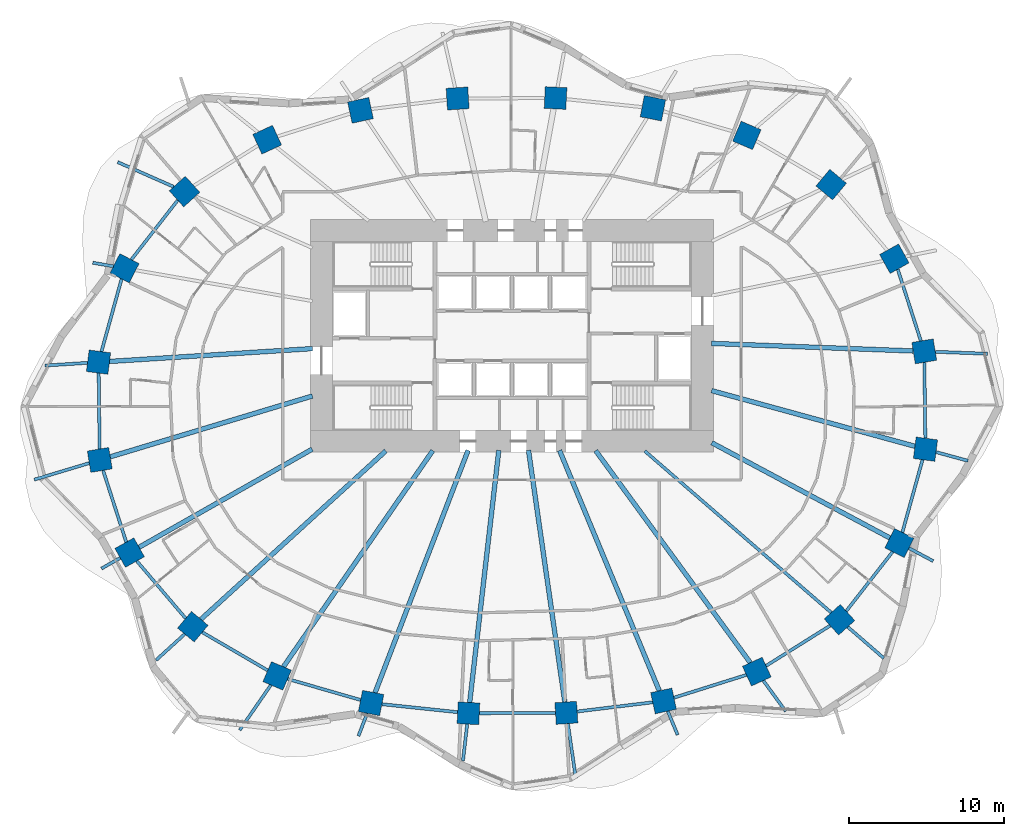
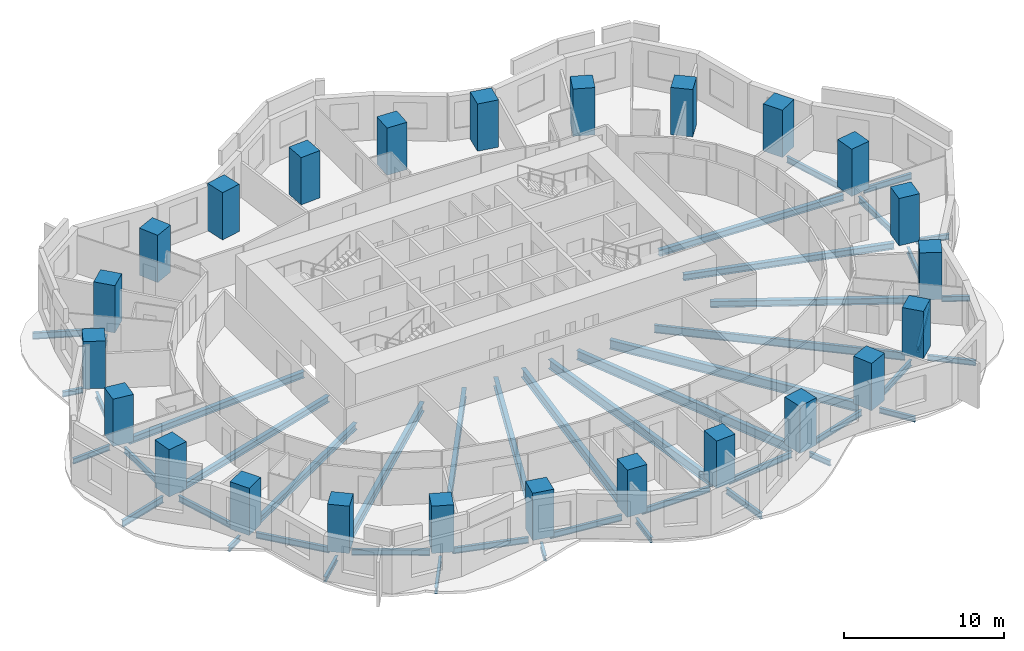
# One storey, part 1 of 11: 46 beams, 24 columns.
"""IFC4 building model written with IfcOpenShell, lengths in metres."""

from ifc_helpers import new_model, si_unit, direction, frame, origin, origin_2d, place, context, subcontext, project, spatial, rectangle, i_section, extrude, material, material_profile, profile_set, type_object, element, save


model = new_model("IFC4")

# Units and contexts
model_context = context("Model", 3, precision=1e-05, world=origin(), true_north=direction((0.0, 1.0)))
body_context = subcontext(model_context, "Body", "Model", "MODEL_VIEW")
ifc_project = project(units=[si_unit("LENGTHUNIT", "METRE"), si_unit("AREAUNIT", "SQUARE_METRE"), si_unit("VOLUMEUNIT", "CUBIC_METRE"), si_unit("PLANEANGLEUNIT", "RADIAN"), si_unit("MASSUNIT", "GRAM", prefix="KILO")], contexts=[model_context])

# Site, building, storey
site_placement = place(None, origin())
site = spatial("IfcSite", under=ifc_project, at=site_placement, CompositionType="ELEMENT")
building_placement = place(site_placement, origin())
building = spatial("IfcBuilding", under=site, at=building_placement, Name="Rubra Terraces Tower", CompositionType="ELEMENT")
storey_placement = place(building_placement, frame((0.0, 0.0, 59.10009765625)))
storey = spatial("IfcBuildingStorey", under=building, at=storey_placement, Name="L12", CompositionType="ELEMENT", Elevation=59.10009765625)

# Columns
ifc_material_1 = material(Name="Concrete C60", Category="concrete")
ifc_material_profile_1 = material_profile(ifc_material_1, rectangle(XDim=1.39990234375, YDim=1.39990234375, at=origin_2d()), Name="RC 1400x1400")
ifc_profile_set_1 = profile_set([ifc_material_profile_1], Name="Concrete C60")
column_type = type_object("IfcColumnType", Name="RING COLUMN RC 1400x1400 C60", PredefinedType="COLUMN", material=ifc_profile_set_1)
for number, where, z_axis, x_axis, name in (
    (1, (26.60498046875, 3.5029296875, 0.0), (0.0, 0.0, 1.0), (-0.161234051287, 0.986916197408, 0.0), "column-L12-ring-01"),
    (2, (24.676025390625, 9.48291015625, 0.0), (0.0, 0.0, 1.0), (-0.487226597714, 0.873275582208, 0.0), "column-L12-ring-02"),
    (3, (20.60009765625, 14.26611328125, 0.0), (0.0, 0.0, 1.0), (-0.767209547574, 0.641396531104, 0.0), "column-L12-ring-03"),
    (4, (15.156982421875, 17.44091796875, 0.0), (0.0, 0.0, 1.0), (-0.919293738002, 0.393572132232, 0.0), "column-L12-ring-04"),
    (5, (9.093994140625, 19.19189453125, 0.0), (0.0, 0.0, 1.0), (-0.981430410798, 0.191818530806, 0.0), "column-L12-ring-05"),
    (6, (2.81103515625, 19.85400390625, 0.0), (0.0, 0.0, 1.0), (-0.99874501614, 0.050083857035, 0.0), "column-L12-ring-06"),
    (7, (-3.509033203125, 19.823974609375, 0.0), (0.0, 0.0, 1.0), (-0.9980076013, -0.063093801177, 0.0), "column-L12-ring-07"),
    (8, (-9.780029296875, 19.05810546875, 0.0), (0.0, 0.0, 1.0), (-0.977386186482, -0.211462153764, 0.0), "column-L12-ring-08"),
    (9, (-15.799072265625, 17.1650390625, 0.0), (0.0, 0.0, 1.0), (-0.907952363445, -0.419073389413, 0.0), "column-L12-ring-09"),
    (10, (-21.135009765625, 13.81689453125, 0.0), (0.0, 0.0, 1.0), (-0.742675944539, -0.66965098477, 0.0), "column-L12-ring-10"),
    (11, (-25.0029296875, 8.865966796875, 0.0), (0.0, 0.0, 1.0), (-0.450098906028, -0.892978709036, 0.0), "column-L12-ring-11"),
    (12, (-26.68408203125, 2.80810546875, 0.0), (0.0, 0.0, 1.0), (-0.128444510405, -0.991716697322, 0.0), "column-L12-ring-12"),
    (13, (-26.60498046875, -3.5029296875, 0.0), (0.0, 0.0, 1.0), (0.161234051287, -0.986916197408, 0.0), "column-L12-ring-13"),
    (14, (-24.676025390625, -9.48291015625, 0.0), (0.0, 0.0, 1.0), (0.487226597714, -0.873275582208, 0.0), "column-L12-ring-14"),
    (15, (-20.60009765625, -14.26611328125, 0.0), (0.0, 0.0, 1.0), (0.767209547574, -0.641396531104, 0.0), "column-L12-ring-15"),
    (16, (-15.156982421875, -17.44091796875, 0.0), (0.0, 0.0, 1.0), (0.919293738002, -0.393572132232, 0.0), "column-L12-ring-16"),
    (17, (-9.093994140625, -19.19189453125, 0.0), (0.0, 0.0, 1.0), (0.981430410798, -0.191818530806, 0.0), "column-L12-ring-17"),
    (18, (-2.81103515625, -19.85400390625, 0.0), (0.0, 0.0, 1.0), (0.99874501614, -0.050083857035, 0.0), "column-L12-ring-18"),
    (19, (3.509033203125, -19.823974609375, 0.0), (0.0, 0.0, 1.0), (0.9980076013, 0.063093801177, 0.0), "column-L12-ring-19"),
    (20, (9.780029296875, -19.05810546875, 0.0), (0.0, 0.0, 1.0), (0.977386186482, 0.211462153764, 0.0), "column-L12-ring-20"),
    (21, (15.799072265625, -17.1650390625, 0.0), (0.0, 0.0, 1.0), (0.907952363445, 0.419073389413, 0.0), "column-L12-ring-21"),
    (22, (21.135009765625, -13.81689453125, 0.0), (0.0, 0.0, 1.0), (0.742675944539, 0.66965098477, 0.0), "column-L12-ring-22"),
    (23, (25.0029296875, -8.865966796875, 0.0), (0.0, 0.0, 1.0), (0.450098906028, 0.892978709036, 0.0), "column-L12-ring-23"),
    (24, (26.68408203125, -2.80810546875, 0.0), (0.0, 0.0, 1.0), (0.128444510405, 0.991716697322, 0.0), "column-L12-ring-24"),
):
    element("IfcColumn", number, at=place(storey_placement, frame(where, z_axis=z_axis, x_axis=x_axis)), inside=storey, type_object=column_type, Name=name, PredefinedType="COLUMN", context=body_context, shape_type="SweptSolid", body=[
        extrude(rectangle(XDim=1.39990234375, YDim=1.39990234375, at=origin_2d()), origin(), (0.0, 0.0, 1.0), 3.599853515625),
    ])

# Beams
ifc_material_2 = material(Name="Steel Q355B", Category="steel")
ifc_material_profile_2 = material_profile(ifc_material_2, i_section(OverallWidth=0.199951171875, OverallDepth=0.39990234375, WebThickness=0.008056640625, FlangeThickness=0.012939453125, at=origin_2d()), Name="HN 400x200x8x13")
ifc_profile_set_2 = profile_set([ifc_material_profile_2], Name="Steel Q355B")
beam_type_1 = type_object("IfcBeamType", Name="CANTILEVER BEAM HN 400x200x8x13", PredefinedType="BEAM", material=ifc_profile_set_2)
beam_1_placement = place(storey_placement, frame((-27.39599609375, 2.762939453125, -0.400146484375), z_axis=(-0.997990809901, -0.063358845889, 0.0), x_axis=(0.063358845889, -0.997990809901, 0.0)))
element("IfcBeam", 25, at=beam_1_placement, inside=storey, type_object=beam_type_1, Name="beam-L12-cant-12", PredefinedType="BEAM", context=body_context, shape_type="SweptSolid", body=[
    extrude(i_section(OverallWidth=0.199951171875, OverallDepth=0.39990234375, WebThickness=0.008056640625, FlangeThickness=0.012939453125, at=origin_2d()), origin(), (0.0, 0.0, 1.0), 2.74365234375),
])
beam_2_placement = place(storey_placement, frame((-21.1220703125, -14.741943359375, -0.400146484375), z_axis=(-0.739355427432, -0.6733153436, 0.0), x_axis=(0.6733153436, -0.739355427432, 0.0)))
element("IfcBeam", 26, at=beam_2_placement, inside=storey, type_object=beam_type_1, Name="beam-L12-cant-15", PredefinedType="BEAM", context=body_context, shape_type="SweptSolid", body=[
    extrude(i_section(OverallWidth=0.199951171875, OverallDepth=0.39990234375, WebThickness=0.008056640625, FlangeThickness=0.012939453125, at=origin_2d()), origin(), (0.0, 0.0, 1.0), 2.495361328125),
])
beam_3_placement = place(storey_placement, frame((-9.34912109375, -19.85498046875, -0.400146484375), z_axis=(-0.357892993059, -0.933762606619, 0.0), x_axis=(0.933762606619, -0.357892993059, 0.0)))
element("IfcBeam", 27, at=beam_3_placement, inside=storey, type_object=beam_type_1, Name="beam-L12-cant-17", PredefinedType="BEAM", context=body_context, shape_type="SweptSolid", body=[
    extrude(i_section(OverallWidth=0.199951171875, OverallDepth=0.39990234375, WebThickness=0.008056640625, FlangeThickness=0.012939453125, at=origin_2d()), origin(), (0.0, 0.0, 1.0), 1.56689453125),
])
beam_4_placement = place(storey_placement, frame((-2.89111328125, -20.551025390625, -0.400146484375), z_axis=(-0.114962450561, -0.993369837956, 0.0), x_axis=(0.993369837956, -0.114962450561, 0.0)))
element("IfcBeam", 28, at=beam_4_placement, inside=storey, type_object=beam_type_1, Name="beam-L12-cant-18", PredefinedType="BEAM", context=body_context, shape_type="SweptSolid", body=[
    extrude(i_section(OverallWidth=0.199951171875, OverallDepth=0.39990234375, WebThickness=0.008056640625, FlangeThickness=0.012939453125, at=origin_2d()), origin(), (0.0, 0.0, 1.0), 2.3828125),
])
beam_5_placement = place(storey_placement, frame((10.052978515625, -19.715087890625, -0.400146484375), z_axis=(0.383503635295, -0.92353936663, 0.0), x_axis=(0.92353936663, 0.383503635295, 0.0)))
element("IfcBeam", 29, at=beam_5_placement, inside=storey, type_object=beam_type_1, Name="beam-L12-cant-20", PredefinedType="BEAM", context=body_context, shape_type="SweptSolid", body=[
    extrude(i_section(OverallWidth=0.199951171875, OverallDepth=0.39990234375, WebThickness=0.008056640625, FlangeThickness=0.012939453125, at=origin_2d()), origin(), (0.0, 0.0, 1.0), 1.6533203125),
])
beam_6_placement = place(storey_placement, frame((16.219970703125, -17.741943359375, -0.400146484375), z_axis=(0.589051841902, -0.808095246584, 0.0), x_axis=(0.808095246584, 0.589051841902, 0.0)))
element("IfcBeam", 30, at=beam_6_placement, inside=storey, type_object=beam_type_1, Name="beam-L12-cant-21", PredefinedType="BEAM", context=body_context, shape_type="SweptSolid", body=[
    extrude(i_section(OverallWidth=0.199951171875, OverallDepth=0.39990234375, WebThickness=0.008056640625, FlangeThickness=0.012939453125, at=origin_2d()), origin(), (0.0, 0.0, 1.0), 2.45654296875),
])
beam_7_placement = place(storey_placement, frame((21.66796875, -14.279052734375, -0.400146484375), z_axis=(0.755678614106, -0.654942617474, 0.0), x_axis=(0.654942617474, 0.755678614106, 0.0)))
element("IfcBeam", 31, at=beam_7_placement, inside=storey, type_object=beam_type_1, Name="beam-L12-cant-22", PredefinedType="BEAM", context=body_context, shape_type="SweptSolid", body=[
    extrude(i_section(OverallWidth=0.199951171875, OverallDepth=0.39990234375, WebThickness=0.008056640625, FlangeThickness=0.012939453125, at=origin_2d()), origin(), (0.0, 0.0, 1.0), 3.077880859375),
])
beam_8_placement = place(storey_placement, frame((25.62109375, -9.196044921875, -0.400146484375), z_axis=(0.881831478538, -0.471564675797, 0.0), x_axis=(0.471564675797, 0.881831478538, 0.0)))
element("IfcBeam", 32, at=beam_8_placement, inside=storey, type_object=beam_type_1, Name="beam-L12-cant-23", PredefinedType="BEAM", context=body_context, shape_type="SweptSolid", body=[
    extrude(i_section(OverallWidth=0.199951171875, OverallDepth=0.39990234375, WebThickness=0.008056640625, FlangeThickness=0.012939453125, at=origin_2d()), origin(), (0.0, 0.0, 1.0), 1.764404296875),
])
beam_9_placement = place(storey_placement, frame((27.365966796875, -2.9951171875, -0.400146484375), z_axis=(0.964489360559, -0.264121701814, 0.0), x_axis=(0.264121701814, 0.964489360559, 0.0)))
element("IfcBeam", 33, at=beam_9_placement, inside=storey, type_object=beam_type_1, Name="beam-L12-cant-24", PredefinedType="BEAM", context=body_context, shape_type="SweptSolid", body=[
    extrude(i_section(OverallWidth=0.199951171875, OverallDepth=0.39990234375, WebThickness=0.008056640625, FlangeThickness=0.012939453125, at=origin_2d()), origin(), (0.0, 0.0, 1.0), 2.138916015625),
])
ifc_material_profile_3 = material_profile(ifc_material_2, i_section(OverallWidth=0.198974609375, OverallDepth=0.446044921875, WebThickness=0.008056640625, FlangeThickness=0.011962890625, at=origin_2d()), Name="HN 446x199x8x12")
ifc_profile_set_3 = profile_set([ifc_material_profile_3], Name="Steel Q355B")
beam_type_2 = type_object("IfcBeamType", Name="CANTILEVER BEAM HN 446x199x8x12", PredefinedType="BEAM", material=ifc_profile_set_3)
beam_10_placement = place(storey_placement, frame((27.319091796875, 3.47607421875, -0.423095703125), z_axis=(0.999304901347, -0.037278869946, 0.0), x_axis=(0.037278869946, 0.999304901347, 0.0)))
element("IfcBeam", 34, at=beam_10_placement, inside=storey, type_object=beam_type_2, Name="beam-L12-cant-01", PredefinedType="BEAM", context=body_context, shape_type="SweptSolid", body=[
    extrude(i_section(OverallWidth=0.198974609375, OverallDepth=0.446044921875, WebThickness=0.008056640625, FlangeThickness=0.011962890625, at=origin_2d()), origin(), (0.0, 0.0, 1.0), 3.37939453125),
])
beam_11_placement = place(storey_placement, frame((-15.56298828125, -18.029052734375, -0.423095703125), z_axis=(-0.568398748682, -0.822753220897, 0.0), x_axis=(0.822753220897, -0.568398748682, 0.0)))
element("IfcBeam", 35, at=beam_11_placement, inside=storey, type_object=beam_type_2, Name="beam-L12-cant-16", PredefinedType="BEAM", context=body_context, shape_type="SweptSolid", body=[
    extrude(i_section(OverallWidth=0.198974609375, OverallDepth=0.446044921875, WebThickness=0.008056640625, FlangeThickness=0.011962890625, at=origin_2d()), origin(), (0.0, 0.0, 1.0), 3.5380859375),
])
beam_12_placement = place(storey_placement, frame((3.60888671875, -20.51904296875, -0.423095703125), z_axis=(0.142763269487, -0.98975686352, 0.0), x_axis=(0.98975686352, 0.142763269487, 0.0)))
element("IfcBeam", 36, at=beam_12_placement, inside=storey, type_object=beam_type_2, Name="beam-L12-cant-19", PredefinedType="BEAM", context=body_context, shape_type="SweptSolid", body=[
    extrude(i_section(OverallWidth=0.198974609375, OverallDepth=0.446044921875, WebThickness=0.008056640625, FlangeThickness=0.011962890625, at=origin_2d()), origin(), (0.0, 0.0, 1.0), 3.565673828125),
])
ifc_material_profile_4 = material_profile(ifc_material_2, i_section(OverallWidth=0.198974609375, OverallDepth=0.49609375, WebThickness=0.009033203125, FlangeThickness=0.013916015625, at=origin_2d()), Name="HN 496x199x9x14")
ifc_profile_set_4 = profile_set([ifc_material_profile_4], Name="Steel Q355B")
beam_type_3 = type_object("IfcBeamType", Name="CANTILEVER BEAM HN 496x199x9x14", PredefinedType="BEAM", material=ifc_profile_set_4)
beam_13_placement = place(storey_placement, frame((-21.8369140625, 14.1259765625, -0.447998046875), z_axis=(-0.914957406793, 0.403550422816, 0.0), x_axis=(-0.403550422816, -0.914957406793, 0.0)))
element("IfcBeam", 37, at=beam_13_placement, inside=storey, type_object=beam_type_3, Name="beam-L12-cant-10", PredefinedType="BEAM", context=body_context, shape_type="SweptSolid", body=[
    extrude(i_section(OverallWidth=0.198974609375, OverallDepth=0.49609375, WebThickness=0.009033203125, FlangeThickness=0.013916015625, at=origin_2d()), origin(), (0.0, 0.0, 1.0), 3.949951171875),
])
beam_14_placement = place(storey_placement, frame((-27.281005859375, -3.7060546875, -0.447998046875), z_axis=(-0.957593698742, -0.28812203687, 0.0), x_axis=(0.28812203687, -0.957593698742, 0.0)))
element("IfcBeam", 38, at=beam_14_placement, inside=storey, type_object=beam_type_3, Name="beam-L12-cant-13", PredefinedType="BEAM", context=body_context, shape_type="SweptSolid", body=[
    extrude(i_section(OverallWidth=0.198974609375, OverallDepth=0.49609375, WebThickness=0.009033203125, FlangeThickness=0.013916015625, at=origin_2d()), origin(), (0.0, 0.0, 1.0), 3.702880859375),
])
ifc_material_profile_5 = material_profile(ifc_material_2, i_section(OverallWidth=0.199951171875, OverallDepth=0.39990234375, WebThickness=0.008056640625, FlangeThickness=0.012939453125, at=origin_2d()), Name="HN 400x200x8x13")
ifc_profile_set_5 = profile_set([ifc_material_profile_5], Name="Steel Q355B")
beam_type_4 = type_object("IfcBeamType", Name="CANTILEVER STUB HN 400x200x8x13", PredefinedType="BEAM", material=ifc_profile_set_5)
beam_15_placement = place(storey_placement, frame((-25.722900390625, 8.991943359375, -0.400146484375), z_axis=(-0.985082654441, 0.172081852383, 0.0), x_axis=(-0.172081852383, -0.985082654441, 0.0)))
element("IfcBeam", 39, at=beam_15_placement, inside=storey, type_object=beam_type_4, Name="beam-L12-cant-11", PredefinedType="BEAM", context=body_context, shape_type="SweptSolid", body=[
    extrude(i_section(OverallWidth=0.199951171875, OverallDepth=0.39990234375, WebThickness=0.008056640625, FlangeThickness=0.012939453125, at=origin_2d()), origin(), (0.0, 0.0, 1.0), 1.34912109375),
])
beam_16_placement = place(storey_placement, frame((-25.284912109375, -9.827880859375, -0.400146484375), z_axis=(-0.869861272392, -0.493296428927, 0.0), x_axis=(0.493296428927, -0.869861272392, 0.0)))
element("IfcBeam", 40, at=beam_16_placement, inside=storey, type_object=beam_type_4, Name="beam-L12-cant-14", PredefinedType="BEAM", context=body_context, shape_type="SweptSolid", body=[
    extrude(i_section(OverallWidth=0.199951171875, OverallDepth=0.39990234375, WebThickness=0.008056640625, FlangeThickness=0.012939453125, at=origin_2d()), origin(), (0.0, 0.0, 1.0), 1.388671875),
])
ifc_material_profile_6 = material_profile(ifc_material_2, i_section(OverallWidth=0.300048828125, OverallDepth=0.48193359375, WebThickness=0.010986328125, FlangeThickness=0.014892578125, at=origin_2d()), Name="HM 482x300x11x15")
ifc_profile_set_6 = profile_set([ifc_material_profile_6], Name="Steel Q355B")
beam_type_5 = type_object("IfcBeamType", Name="FLOOR BEAM HM 482x300x11x15", PredefinedType="BEAM", material=ifc_profile_set_6)
beam_17_placement = place(storey_placement, frame((25.89111328125, 3.530029296875, -0.441162109375), z_axis=(-0.999300088658, 0.037407657088, 0.0), x_axis=(-0.037407657088, -0.999300088658, 0.0)))
element("IfcBeam", 41, at=beam_17_placement, inside=storey, type_object=beam_type_5, Name="beam-L12-floor-01", PredefinedType="BEAM", context=body_context, shape_type="SweptSolid", body=[
    extrude(i_section(OverallWidth=0.300048828125, OverallDepth=0.48193359375, WebThickness=0.010986328125, FlangeThickness=0.014892578125, at=origin_2d()), origin(), (0.0, 0.0, 1.0), 13.020263671875),
])
beam_18_placement = place(storey_placement, frame((-25.971923828125, 2.85302734375, -0.441162109375), z_axis=(0.997996052936, 0.06327620662, 0.0), x_axis=(-0.06327620662, 0.997996052936, 0.0)))
element("IfcBeam", 42, at=beam_18_placement, inside=storey, type_object=beam_type_5, Name="beam-L12-floor-12", PredefinedType="BEAM", context=body_context, shape_type="SweptSolid", body=[
    extrude(i_section(OverallWidth=0.300048828125, OverallDepth=0.48193359375, WebThickness=0.010986328125, FlangeThickness=0.014892578125, at=origin_2d()), origin(), (0.0, 0.0, 1.0), 13.118408203125),
])
beam_19_placement = place(storey_placement, frame((-25.928955078125, -3.300048828125, -0.441162109375), z_axis=(0.957605991861, 0.288081176671, 0.0), x_axis=(-0.288081176671, 0.957605991861, 0.0)))
element("IfcBeam", 43, at=beam_19_placement, inside=storey, type_object=beam_type_5, Name="beam-L12-floor-13", PredefinedType="BEAM", context=body_context, shape_type="SweptSolid", body=[
    extrude(i_section(OverallWidth=0.300048828125, OverallDepth=0.48193359375, WebThickness=0.010986328125, FlangeThickness=0.014892578125, at=origin_2d()), origin(), (0.0, 0.0, 1.0), 13.621337890625),
])
beam_20_placement = place(storey_placement, frame((-24.06689453125, -9.137939453125, -0.441162109375), z_axis=(0.869992824144, 0.493064383157, 0.0), x_axis=(-0.493064383157, 0.869992824144, 0.0)))
element("IfcBeam", 44, at=beam_20_placement, inside=storey, type_object=beam_type_5, Name="beam-L12-floor-14", PredefinedType="BEAM", context=body_context, shape_type="SweptSolid", body=[
    extrude(i_section(OverallWidth=0.300048828125, OverallDepth=0.48193359375, WebThickness=0.010986328125, FlangeThickness=0.014892578125, at=origin_2d()), origin(), (0.0, 0.0, 1.0), 12.84033203125),
])
beam_21_placement = place(storey_placement, frame((24.385009765625, -8.535888671875, -0.441162109375), z_axis=(-0.881896613876, 0.471442851716, 0.0), x_axis=(-0.471442851716, -0.881896613876, 0.0)))
element("IfcBeam", 45, at=beam_21_placement, inside=storey, type_object=beam_type_5, Name="beam-L12-floor-23", PredefinedType="BEAM", context=body_context, shape_type="SweptSolid", body=[
    extrude(i_section(OverallWidth=0.300048828125, OverallDepth=0.48193359375, WebThickness=0.010986328125, FlangeThickness=0.014892578125, at=origin_2d()), origin(), (0.0, 0.0, 1.0), 13.02978515625),
])
beam_22_placement = place(storey_placement, frame((26.001953125, -2.62109375, -0.441162109375), z_axis=(-0.964494059772, 0.264104541167, 0.0), x_axis=(-0.264104541167, -0.964494059772, 0.0)))
element("IfcBeam", 46, at=beam_22_placement, inside=storey, type_object=beam_type_5, Name="beam-L12-floor-24", PredefinedType="BEAM", context=body_context, shape_type="SweptSolid", body=[
    extrude(i_section(OverallWidth=0.300048828125, OverallDepth=0.48193359375, WebThickness=0.010986328125, FlangeThickness=0.014892578125, at=origin_2d()), origin(), (0.0, 0.0, 1.0), 13.600830078125),
])
ifc_material_profile_7 = material_profile(ifc_material_2, i_section(OverallWidth=0.198974609375, OverallDepth=0.595947265625, WebThickness=0.010009765625, FlangeThickness=0.014892578125, at=origin_2d()), Name="HN 596x199x10x15")
ifc_profile_set_7 = profile_set([ifc_material_profile_7], Name="Steel Q355B")
beam_type_6 = type_object("IfcBeamType", Name="FLOOR BEAM HN 596x199x10x15", PredefinedType="BEAM", material=ifc_profile_set_7)
beam_23_placement = place(storey_placement, frame((20.60205078125, -13.35498046875, -0.498046875), z_axis=(-0.755682003913, 0.654938706263, 0.0), x_axis=(-0.654938706263, -0.755682003913, 0.0)))
element("IfcBeam", 47, at=beam_23_placement, inside=storey, type_object=beam_type_6, Name="beam-L12-floor-22", PredefinedType="BEAM", context=body_context, shape_type="SweptSolid", body=[
    extrude(i_section(OverallWidth=0.198974609375, OverallDepth=0.595947265625, WebThickness=0.010009765625, FlangeThickness=0.014892578125, at=origin_2d()), origin(), (0.0, 0.0, 1.0), 15.931396484375),
])
ifc_material_profile_8 = material_profile(ifc_material_2, i_section(OverallWidth=0.300048828125, OverallDepth=0.699951171875, WebThickness=0.012939453125, FlangeThickness=0.02392578125, at=origin_2d()), Name="HN 700x300x13x24")
ifc_profile_set_8 = profile_set([ifc_material_profile_8], Name="Steel Q355B")
beam_type_7 = type_object("IfcBeamType", Name="FLOOR BEAM HN 700x300x13x24", PredefinedType="BEAM", material=ifc_profile_set_8)
beam_24_placement = place(storey_placement, frame((-20.077880859375, -13.7900390625, -0.550048828125), z_axis=(0.739256734846, 0.673423700195, 0.0), x_axis=(-0.673423700195, 0.739256734846, 0.0)))
element("IfcBeam", 48, at=beam_24_placement, inside=storey, type_object=beam_type_7, Name="beam-L12-floor-15", PredefinedType="BEAM", context=body_context, shape_type="SweptSolid", body=[
    extrude(i_section(OverallWidth=0.300048828125, OverallDepth=0.699951171875, WebThickness=0.012939453125, FlangeThickness=0.02392578125, at=origin_2d()), origin(), (0.0, 0.0, 1.0), 16.14306640625),
])
beam_25_placement = place(storey_placement, frame((-14.7509765625, -16.85302734375, -0.550048828125), z_axis=(0.568362941886, 0.822777956858, 0.0), x_axis=(-0.822777956858, 0.568362941886, 0.0)))
element("IfcBeam", 49, at=beam_25_placement, inside=storey, type_object=beam_type_7, Name="beam-L12-floor-16", PredefinedType="BEAM", context=body_context, shape_type="SweptSolid", body=[
    extrude(i_section(OverallWidth=0.300048828125, OverallDepth=0.699951171875, WebThickness=0.012939453125, FlangeThickness=0.02392578125, at=origin_2d()), origin(), (0.0, 0.0, 1.0), 16.957275390625),
])
beam_26_placement = place(storey_placement, frame((-8.839111328125, -18.529052734375, -0.550048828125), z_axis=(0.358321803184, 0.933598139117, 0.0), x_axis=(-0.933598139117, 0.358321803184, 0.0)))
element("IfcBeam", 50, at=beam_26_placement, inside=storey, type_object=beam_type_7, Name="beam-L12-floor-17", PredefinedType="BEAM", context=body_context, shape_type="SweptSolid", body=[
    extrude(i_section(OverallWidth=0.300048828125, OverallDepth=0.699951171875, WebThickness=0.012939453125, FlangeThickness=0.02392578125, at=origin_2d()), origin(), (0.0, 0.0, 1.0), 16.753662109375),
])
beam_27_placement = place(storey_placement, frame((-2.73095703125, -19.156982421875, -0.550048828125), z_axis=(0.114679535872, 0.993402538779, 0.0), x_axis=(-0.993402538779, 0.114679535872, 0.0)))
element("IfcBeam", 51, at=beam_27_placement, inside=storey, type_object=beam_type_7, Name="beam-L12-floor-18", PredefinedType="BEAM", context=body_context, shape_type="SweptSolid", body=[
    extrude(i_section(OverallWidth=0.300048828125, OverallDepth=0.699951171875, WebThickness=0.012939453125, FlangeThickness=0.02392578125, at=origin_2d()), origin(), (0.0, 0.0, 1.0), 16.384033203125),
])
beam_28_placement = place(storey_placement, frame((3.408935546875, -19.12890625, -0.550048828125), z_axis=(-0.142787075711, 0.9897534294, 0.0), x_axis=(-0.9897534294, -0.142787075711, 0.0)))
element("IfcBeam", 52, at=beam_28_placement, inside=storey, type_object=beam_type_7, Name="beam-L12-floor-19", PredefinedType="BEAM", context=body_context, shape_type="SweptSolid", body=[
    extrude(i_section(OverallWidth=0.300048828125, OverallDepth=0.699951171875, WebThickness=0.012939453125, FlangeThickness=0.02392578125, at=origin_2d()), origin(), (0.0, 0.0, 1.0), 16.416015625),
])
beam_29_placement = place(storey_placement, frame((9.507080078125, -18.40087890625, -0.550048828125), z_axis=(-0.383379543301, 0.923590886582, 0.0), x_axis=(-0.923590886582, -0.383379543301, 0.0)))
element("IfcBeam", 53, at=beam_29_placement, inside=storey, type_object=beam_type_7, Name="beam-L12-floor-20", PredefinedType="BEAM", context=body_context, shape_type="SweptSolid", body=[
    extrude(i_section(OverallWidth=0.300048828125, OverallDepth=0.699951171875, WebThickness=0.012939453125, FlangeThickness=0.02392578125, at=origin_2d()), origin(), (0.0, 0.0, 1.0), 16.795166015625),
])
beam_30_placement = place(storey_placement, frame((15.3779296875, -16.587890625, -0.550048828125), z_axis=(-0.58919117553, 0.807993662523, 0.0), x_axis=(-0.807993662523, -0.58919117553, 0.0)))
element("IfcBeam", 54, at=beam_30_placement, inside=storey, type_object=beam_type_7, Name="beam-L12-floor-21", PredefinedType="BEAM", context=body_context, shape_type="SweptSolid", body=[
    extrude(i_section(OverallWidth=0.300048828125, OverallDepth=0.699951171875, WebThickness=0.012939453125, FlangeThickness=0.02392578125, at=origin_2d()), origin(), (0.0, 0.0, 1.0), 16.936767578125),
])
ifc_material_profile_9 = material_profile(ifc_material_2, i_section(OverallWidth=0.198974609375, OverallDepth=0.446044921875, WebThickness=0.008056640625, FlangeThickness=0.011962890625, at=origin_2d()), Name="HN 446x199x8x12")
ifc_profile_set_9 = profile_set([ifc_material_profile_9], Name="Steel Q355B")
beam_type_8 = type_object("IfcBeamType", Name="SPANDREL BEAM HN 446x199x8x12", PredefinedType="SPANDREL", material=ifc_profile_set_9)
beam_31_placement = place(storey_placement, frame((26.387939453125, 4.177001953125, -0.423095703125), z_axis=(-0.30706880261, 0.951687317591, 0.0), x_axis=(-0.951687317591, -0.30706880261, 0.0)))
element("IfcBeam", 55, at=beam_31_placement, inside=storey, type_object=beam_type_8, Name="beam-L12-spandrel-01", PredefinedType="SPANDREL", context=body_context, shape_type="SweptSolid", body=[
    extrude(i_section(OverallWidth=0.198974609375, OverallDepth=0.446044921875, WebThickness=0.008056640625, FlangeThickness=0.011962890625, at=origin_2d()), origin(), (0.0, 0.0, 1.0), 4.86181640625),
])
beam_32_placement = place(storey_placement, frame((-21.572998046875, 13.257080078125, -0.423095703125), z_axis=(-0.615577734286, -0.788076172112, 0.0), x_axis=(0.788076172112, -0.615577734286, 0.0)))
element("IfcBeam", 56, at=beam_32_placement, inside=storey, type_object=beam_type_8, Name="beam-L12-spandrel-10", PredefinedType="SPANDREL", context=body_context, shape_type="SweptSolid", body=[
    extrude(i_section(OverallWidth=0.198974609375, OverallDepth=0.446044921875, WebThickness=0.008056640625, FlangeThickness=0.011962890625, at=origin_2d()), origin(), (0.0, 0.0, 1.0), 4.85888671875),
])
beam_33_placement = place(storey_placement, frame((-25.194091796875, 8.177978515625, -0.423095703125), z_axis=(-0.267364386726, -0.96359549849, 0.0), x_axis=(0.96359549849, -0.267364386726, 0.0)))
element("IfcBeam", 57, at=beam_33_placement, inside=storey, type_object=beam_type_8, Name="beam-L12-spandrel-11", PredefinedType="SPANDREL", context=body_context, shape_type="SweptSolid", body=[
    extrude(i_section(OverallWidth=0.198974609375, OverallDepth=0.446044921875, WebThickness=0.008056640625, FlangeThickness=0.011962890625, at=origin_2d()), origin(), (0.0, 0.0, 1.0), 4.8662109375),
])
beam_34_placement = place(storey_placement, frame((-26.675048828125, 2.10107421875, -0.423095703125), z_axis=(0.012465372298, -0.999922304228, 0.0), x_axis=(0.999922304228, 0.012465372298, 0.0)))
element("IfcBeam", 58, at=beam_34_placement, inside=storey, type_object=beam_type_8, Name="beam-L12-spandrel-12", PredefinedType="SPANDREL", context=body_context, shape_type="SweptSolid", body=[
    extrude(i_section(OverallWidth=0.198974609375, OverallDepth=0.446044921875, WebThickness=0.008056640625, FlangeThickness=0.011962890625, at=origin_2d()), origin(), (0.0, 0.0, 1.0), 4.896484375),
])
beam_35_placement = place(storey_placement, frame((-26.387939453125, -4.177001953125, -0.423095703125), z_axis=(0.30706880261, -0.951687317591, 0.0), x_axis=(0.951687317591, 0.30706880261, 0.0)))
element("IfcBeam", 59, at=beam_35_placement, inside=storey, type_object=beam_type_8, Name="beam-L12-spandrel-13", PredefinedType="SPANDREL", context=body_context, shape_type="SweptSolid", body=[
    extrude(i_section(OverallWidth=0.198974609375, OverallDepth=0.446044921875, WebThickness=0.008056640625, FlangeThickness=0.011962890625, at=origin_2d()), origin(), (0.0, 0.0, 1.0), 4.86181640625),
])
beam_36_placement = place(storey_placement, frame((-24.212890625, -10.02587890625, -0.423095703125), z_axis=(0.648447050824, -0.761259760054, 0.0), x_axis=(0.761259760054, 0.648447050824, 0.0)))
element("IfcBeam", 60, at=beam_36_placement, inside=storey, type_object=beam_type_8, Name="beam-L12-spandrel-14", PredefinedType="SPANDREL", context=body_context, shape_type="SweptSolid", body=[
    extrude(i_section(OverallWidth=0.198974609375, OverallDepth=0.446044921875, WebThickness=0.008056640625, FlangeThickness=0.011962890625, at=origin_2d()), origin(), (0.0, 0.0, 1.0), 4.860595703125),
])
beam_37_placement = place(storey_placement, frame((-19.987060546875, -14.6240234375, -0.423095703125), z_axis=(0.863806081452, -0.503824427402, 0.0), x_axis=(0.503824427402, 0.863806081452, 0.0)))
element("IfcBeam", 61, at=beam_37_placement, inside=storey, type_object=beam_type_8, Name="beam-L12-spandrel-15", PredefinedType="SPANDREL", context=body_context, shape_type="SweptSolid", body=[
    extrude(i_section(OverallWidth=0.198974609375, OverallDepth=0.446044921875, WebThickness=0.008056640625, FlangeThickness=0.011962890625, at=origin_2d()), origin(), (0.0, 0.0, 1.0), 4.886474609375),
])
beam_38_placement = place(storey_placement, frame((-14.47900390625, -17.636962890625, -0.423095703125), z_axis=(0.960743980202, -0.277436487337, 0.0), x_axis=(0.277436487337, 0.960743980202, 0.0)))
element("IfcBeam", 62, at=beam_38_placement, inside=storey, type_object=beam_type_8, Name="beam-L12-spandrel-16", PredefinedType="SPANDREL", context=body_context, shape_type="SweptSolid", body=[
    extrude(i_section(OverallWidth=0.198974609375, OverallDepth=0.446044921875, WebThickness=0.008056640625, FlangeThickness=0.011962890625, at=origin_2d()), origin(), (0.0, 0.0, 1.0), 4.90234375),
])
beam_39_placement = place(storey_placement, frame((-8.39501953125, -19.26611328125, -0.423095703125), z_axis=(0.994495375694, -0.104780473964, 0.0), x_axis=(0.104780473964, 0.994495375694, 0.0)))
element("IfcBeam", 63, at=beam_39_placement, inside=storey, type_object=beam_type_8, Name="beam-L12-spandrel-17", PredefinedType="SPANDREL", context=body_context, shape_type="SweptSolid", body=[
    extrude(i_section(OverallWidth=0.198974609375, OverallDepth=0.446044921875, WebThickness=0.008056640625, FlangeThickness=0.011962890625, at=origin_2d()), origin(), (0.0, 0.0, 1.0), 4.9140625),
])
beam_40_placement = place(storey_placement, frame((-2.110107421875, -19.85107421875, -0.423095703125), z_axis=(0.999987924698, 0.004914311469, 0.0), x_axis=(-0.004914311469, 0.999987924698, 0.0)))
element("IfcBeam", 64, at=beam_40_placement, inside=storey, type_object=beam_type_8, Name="beam-L12-spandrel-18", PredefinedType="SPANDREL", context=body_context, shape_type="SweptSolid", body=[
    extrude(i_section(OverallWidth=0.198974609375, OverallDepth=0.446044921875, WebThickness=0.008056640625, FlangeThickness=0.011962890625, at=origin_2d()), origin(), (0.0, 0.0, 1.0), 4.918212890625),
])
beam_41_placement = place(storey_placement, frame((4.205078125, -19.739013671875, -0.423095703125), z_axis=(0.992616576014, 0.12129440639, 0.0), x_axis=(-0.12129440639, 0.992616576014, 0.0)))
element("IfcBeam", 65, at=beam_41_placement, inside=storey, type_object=beam_type_8, Name="beam-L12-spandrel-19", PredefinedType="SPANDREL", context=body_context, shape_type="SweptSolid", body=[
    extrude(i_section(OverallWidth=0.198974609375, OverallDepth=0.446044921875, WebThickness=0.008056640625, FlangeThickness=0.011962890625, at=origin_2d()), origin(), (0.0, 0.0, 1.0), 4.913330078125),
])
beam_42_placement = place(storey_placement, frame((10.450927734375, -18.846923828125, -0.423095703125), z_axis=(0.953954624663, 0.299950952796, 0.0), x_axis=(-0.299950952796, 0.953954624663, 0.0)))
element("IfcBeam", 66, at=beam_42_placement, inside=storey, type_object=beam_type_8, Name="beam-L12-spandrel-20", PredefinedType="SPANDREL", context=body_context, shape_type="SweptSolid", body=[
    extrude(i_section(OverallWidth=0.198974609375, OverallDepth=0.446044921875, WebThickness=0.008056640625, FlangeThickness=0.011962890625, at=origin_2d()), origin(), (0.0, 0.0, 1.0), 4.900634765625),
])
beam_43_placement = place(storey_placement, frame((16.39697265625, -16.7900390625, -0.423095703125), z_axis=(0.847078460197, 0.531467856291, 0.0), x_axis=(-0.531467856291, 0.847078460197, 0.0)))
element("IfcBeam", 67, at=beam_43_placement, inside=storey, type_object=beam_type_8, Name="beam-L12-spandrel-21", PredefinedType="SPANDREL", context=body_context, shape_type="SweptSolid", body=[
    extrude(i_section(OverallWidth=0.198974609375, OverallDepth=0.446044921875, WebThickness=0.008056640625, FlangeThickness=0.011962890625, at=origin_2d()), origin(), (0.0, 0.0, 1.0), 4.882568359375),
])
beam_44_placement = place(storey_placement, frame((21.572998046875, -13.257080078125, -0.423095703125), z_axis=(0.615577734286, 0.788076172112, 0.0), x_axis=(-0.788076172112, 0.615577734286, 0.0)))
element("IfcBeam", 68, at=beam_44_placement, inside=storey, type_object=beam_type_8, Name="beam-L12-spandrel-22", PredefinedType="SPANDREL", context=body_context, shape_type="SweptSolid", body=[
    extrude(i_section(OverallWidth=0.198974609375, OverallDepth=0.446044921875, WebThickness=0.008056640625, FlangeThickness=0.011962890625, at=origin_2d()), origin(), (0.0, 0.0, 1.0), 4.85888671875),
])
beam_45_placement = place(storey_placement, frame((25.194091796875, -8.177978515625, -0.423095703125), z_axis=(0.267364386726, 0.96359549849, 0.0), x_axis=(-0.96359549849, 0.267364386726, 0.0)))
element("IfcBeam", 69, at=beam_45_placement, inside=storey, type_object=beam_type_8, Name="beam-L12-spandrel-23", PredefinedType="SPANDREL", context=body_context, shape_type="SweptSolid", body=[
    extrude(i_section(OverallWidth=0.198974609375, OverallDepth=0.446044921875, WebThickness=0.008056640625, FlangeThickness=0.011962890625, at=origin_2d()), origin(), (0.0, 0.0, 1.0), 4.8662109375),
])
beam_46_placement = place(storey_placement, frame((26.675048828125, -2.10107421875, -0.423095703125), z_axis=(-0.012465372298, 0.999922304228, 0.0), x_axis=(-0.999922304228, -0.012465372298, 0.0)))
element("IfcBeam", 70, at=beam_46_placement, inside=storey, type_object=beam_type_8, Name="beam-L12-spandrel-24", PredefinedType="SPANDREL", context=body_context, shape_type="SweptSolid", body=[
    extrude(i_section(OverallWidth=0.198974609375, OverallDepth=0.446044921875, WebThickness=0.008056640625, FlangeThickness=0.011962890625, at=origin_2d()), origin(), (0.0, 0.0, 1.0), 4.896484375),
])

save(model, "model.ifc")
